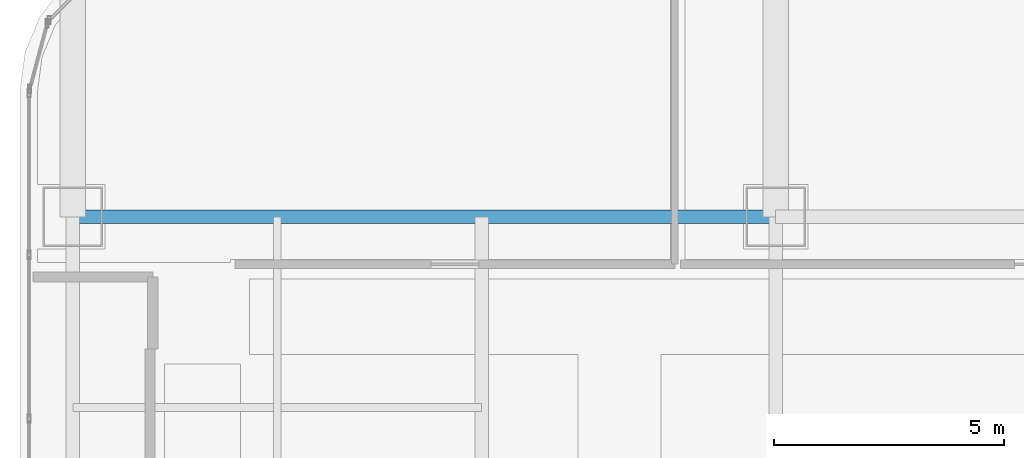
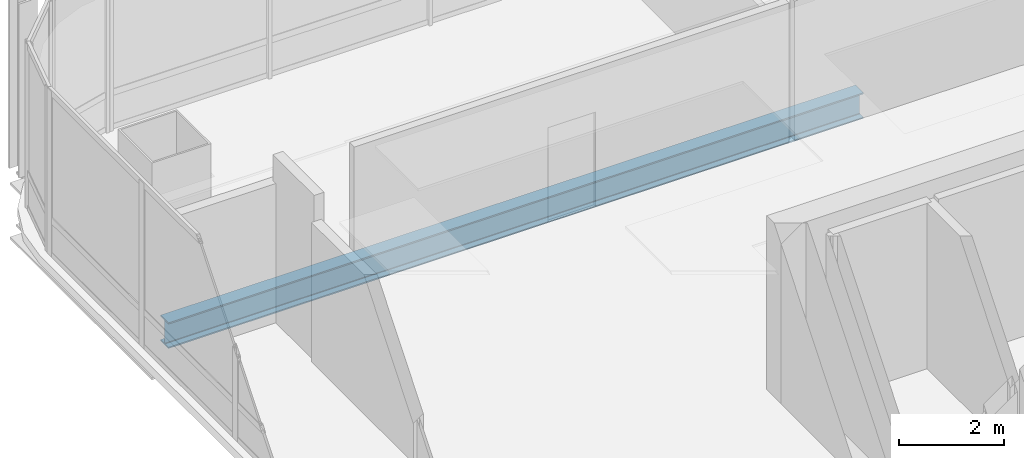
# One storey, part 23 of 42: 1 beam.
"""IFC4 building model written with IfcOpenShell, lengths in metres."""

import ifcopenshell
import ifcopenshell.guid

model = None  # the IFC model being written
_history = None  # IfcOwnerHistory: only IFC2X3 demands one
_inside = {}  # id of a spatial element -> (the spatial element, [elements in it])
_under = {}  # id of a project, library or spatial element -> (it, [spatial elements below it])
_declared = {}  # id of a project -> (the project, [libraries it declares])
_typed = {}  # id of a type object -> (the type object, [elements of that type])
_made_of = {}  # id of a material, layer set ... -> (it, [elements and type objects made of it])


def new_model(schema):
    """Start an empty IFC model of exactly this schema.

    Asked for "IFC4X3", IfcOpenShell would pick the latest addendum, in which some entities
    have other attributes; the version numbers below select the first issue.
    IFC2X3 requires an IfcOwnerHistory on every rooted entity: one is made here for all.
    """
    global model, _history
    if schema == "IFC4X3":
        model = ifcopenshell.file(schema_version=(4, 3, 0, 0))
    else:
        model = ifcopenshell.file(schema=schema)
    _inside.clear()
    _under.clear()
    _declared.clear()
    _typed.clear()
    _made_of.clear()
    _history = None
    if model.schema == "IFC2X3":
        org = make("IfcOrganization", Name="unknown")
        user = make(
            "IfcPersonAndOrganization",
            ThePerson=make("IfcPerson", FamilyName="unknown"),
            TheOrganization=org,
        )
        app = make(
            "IfcApplication",
            ApplicationDeveloper=org,
            Version="unknown",
            ApplicationFullName="unknown",
            ApplicationIdentifier="unknown",
        )
        _history = make(
            "IfcOwnerHistory",
            OwningUser=user,
            OwningApplication=app,
            ChangeAction="ADDED",
            CreationDate=0,
        )
    return model


def make(cls, **values):
    """One entity of the class cls with the attributes given. An attribute that is None is left unset."""
    return model.create_entity(
        cls, **{name: value for name, value in values.items() if value is not None}
    )


def rooted(cls, **values):
    """An entity with a GlobalId (a new one), such as an element, a storey or a relation."""
    return make(cls, GlobalId=ifcopenshell.guid.new(), OwnerHistory=_history, **values)


def si_unit(unit_type, name, prefix=None):
    """IfcSIUnit, for example si_unit("LENGTHUNIT", "METRE", prefix="MILLI")."""
    return make("IfcSIUnit", UnitType=unit_type, Prefix=prefix, Name=name)


def assignment(units):
    """IfcUnitAssignment: the units of a project."""
    return None if units is None else make("IfcUnitAssignment", Units=units)


def point(xyz):
    """IfcCartesianPoint."""
    return None if xyz is None else make("IfcCartesianPoint", Coordinates=xyz)


def direction(xyz):
    """IfcDirection."""
    return None if xyz is None else make("IfcDirection", DirectionRatios=xyz)


def frame(location, z_axis=None, x_axis=None):
    """IfcAxis2Placement3D, a coordinate frame: its origin and axes. An axis left out is left unset."""
    return make(
        "IfcAxis2Placement3D",
        Location=point(location),
        Axis=direction(z_axis),
        RefDirection=direction(x_axis),
    )


def frame_2d(location, x_axis=None):
    """IfcAxis2Placement2D, a coordinate frame in the plane: its origin and x axis."""
    return make(
        "IfcAxis2Placement2D", Location=point(location), RefDirection=direction(x_axis)
    )


def origin():
    """The frame at (0, 0, 0) with its axes left unset."""
    return frame((0.0, 0.0, 0.0))


def origin_2d():
    """The frame at (0, 0) in the plane with its x axis left unset."""
    return frame_2d((0.0, 0.0))


def place(relative_to, where):
    """IfcLocalPlacement: puts the frame where relative to a parent placement (None: the world)."""
    return make(
        "IfcLocalPlacement", PlacementRelTo=relative_to, RelativePlacement=where
    )


def context(
    kind, dimensions, precision=None, world=None, true_north=None, identifier=None
):
    """IfcGeometricRepresentationContext, for example the 3D "Model" context."""
    return make(
        "IfcGeometricRepresentationContext",
        ContextIdentifier=identifier,
        ContextType=kind,
        CoordinateSpaceDimension=dimensions,
        Precision=precision,
        WorldCoordinateSystem=world,
        TrueNorth=true_north,
    )


def subcontext(parent, identifier, kind, view, scale=None):
    """IfcGeometricRepresentationSubContext, for example "Body" below "Model"."""
    return make(
        "IfcGeometricRepresentationSubContext",
        ContextIdentifier=identifier,
        ContextType=kind,
        ParentContext=parent,
        TargetScale=scale,
        TargetView=view,
    )


def project(units=None, contexts=None):
    """IfcProject with its units and contexts."""
    return rooted(
        "IfcProject",
        Name="project",
        RepresentationContexts=contexts,
        UnitsInContext=assignment(units),
    )


def spatial(cls, under=None, at=None, **own):
    """A site, building, storey or space (cls), placed at a placement, below another one or the project."""
    s = rooted(cls, ObjectPlacement=at, **own)
    if under is not None:
        _under.setdefault(under.id(), (under, []))[1].append(s)
    return s


def profile(cls, at=None, kind="AREA", **sizes):
    """A parametric profile (cls). Its sizes go by their IFC names, for example OverallWidth=200.0."""
    return make(cls, ProfileType=kind, Position=at, **sizes)


def i_section(**sizes):
    """IfcIShapeProfileDef."""
    return profile("IfcIShapeProfileDef", **sizes)


def extrude(swept, where, along, depth):
    """IfcExtrudedAreaSolid: the profile swept, set in the frame where, extruded along a direction by depth."""
    return make(
        "IfcExtrudedAreaSolid",
        SweptArea=swept,
        Position=where,
        ExtrudedDirection=direction(along),
        Depth=depth,
    )


def shape(context_of_items, identifier, shape_type, items):
    """IfcShapeRepresentation: the items that make up one representation, for example the "Body"."""
    return make(
        "IfcShapeRepresentation",
        ContextOfItems=context_of_items,
        RepresentationIdentifier=identifier,
        RepresentationType=shape_type,
        Items=items,
    )


def material(Name=None, Category=None):
    """IfcMaterial."""
    return make("IfcMaterial", Name=Name, Category=Category)


def material_profile(
    of_material, cross_section, Name=None, Category=None, Priority=None
):
    """IfcMaterialProfile: a cross section and its material."""
    return make(
        "IfcMaterialProfile",
        Name=Name,
        Material=of_material,
        Profile=cross_section,
        Priority=Priority,
        Category=Category,
    )


def profile_set(profiles, Name=None, composite=None):
    """IfcMaterialProfileSet."""
    return make(
        "IfcMaterialProfileSet",
        Name=Name,
        MaterialProfiles=profiles,
        CompositeProfile=composite,
    )


def made_of(thing, what):
    """Note that an element or type object is made of a material, layer set ...; save() writes the relation."""
    if what is not None:
        _made_of.setdefault(what.id(), (what, []))[1].append(thing)
    return thing


def type_object(cls, material=None, **own):
    """A type object (cls), such as IfcWallType, which elements share."""
    return made_of(rooted(cls, **own), material)


def element(
    cls,
    number,
    at=None,
    inside=None,
    cuts=None,
    type_object=None,
    material=None,
    context=None,
    identifier="Body",
    shape_type=None,
    held_by="IfcProductDefinitionShape",
    body=None,
    shapes=None,
    **own,
):
    """One element of the class cls, such as IfcWall. Its Tag is "e" and its number.

    at: its placement. inside: the storey or other place that contains it. cuts: it is an
    opening in that element (IfcRelVoidsElement). A single representation is given by context,
    identifier, shape_type and body (its items); several are given by shapes. held_by: the class
    of the entity that holds the representations. save() writes the other relations.
    """
    e = rooted(cls, Tag="e%d" % number, ObjectPlacement=at, **own)
    if body is not None:
        shapes = [shape(context, identifier, shape_type, body)]
    if shapes is not None:
        e.Representation = make(held_by, Representations=shapes)
    if inside is not None:
        _inside.setdefault(inside.id(), (inside, []))[1].append(e)
    if cuts is not None:
        rooted(
            "IfcRelVoidsElement", RelatingBuildingElement=cuts, RelatedOpeningElement=e
        )
    if type_object is not None:
        _typed.setdefault(type_object.id(), (type_object, []))[1].append(e)
    return made_of(e, material)


def aggregate(whole, parts):
    """IfcRelAggregates: a whole, such as a stair, and the parts it consists of."""
    return rooted("IfcRelAggregates", RelatingObject=whole, RelatedObjects=parts)


def save(model, path):
    """Write the relations noted so far, then the file.

    IfcRelAggregates (storeys below a building ...), IfcRelContainedInSpatialStructure (elements
    in a storey), IfcRelDefinesByType, IfcRelAssociatesMaterial and IfcRelDeclares: one each for
    every whole, place, type object, material and project.
    """
    for whole, parts in _under.values():
        aggregate(whole, parts)
    for where, things in _inside.values():
        rooted(
            "IfcRelContainedInSpatialStructure",
            RelatedElements=things,
            RelatingStructure=where,
        )
    for kind, things in _typed.values():
        rooted("IfcRelDefinesByType", RelatedObjects=things, RelatingType=kind)
    for what, things in _made_of.values():
        rooted("IfcRelAssociatesMaterial", RelatedObjects=things, RelatingMaterial=what)
    for by, libraries in _declared.values():
        rooted("IfcRelDeclares", RelatingContext=by, RelatedDefinitions=libraries)
    model.write(path)


model = new_model("IFC4")

# Units and contexts
model_context = context("Model", 3, precision=1e-05, world=origin(), true_north=direction((0.0, 1.0)))
body_context = subcontext(model_context, "Body", "Model", "MODEL_VIEW")
ifc_project = project(units=[si_unit("LENGTHUNIT", "METRE"), si_unit("AREAUNIT", "SQUARE_METRE"), si_unit("VOLUMEUNIT", "CUBIC_METRE"), si_unit("PLANEANGLEUNIT", "RADIAN"), si_unit("MASSUNIT", "GRAM", prefix="KILO")], contexts=[model_context])

# Site, building, storey
site_placement = place(None, origin())
site = spatial("IfcSite", under=ifc_project, at=site_placement, CompositionType="ELEMENT")
building_placement = place(site_placement, origin())
building = spatial("IfcBuilding", under=site, at=building_placement, Name="Punatoya Terracotta Tower", CompositionType="ELEMENT")
storey_placement = place(building_placement, frame((0.0, 0.0, 259.5)))
storey = spatial("IfcBuildingStorey", under=building, at=storey_placement, Name="L61", CompositionType="ELEMENT", Elevation=259.5)

# Beam
ifc_material = material(Name="Steel S355", Category="steel")
ifc_material_profile = material_profile(ifc_material, i_section(OverallWidth=0.300048828125, OverallDepth=0.60009765625, WebThickness=0.015380859375, FlangeThickness=0.030029296875, FilletRadius=0.01806640625, at=origin_2d()))
ifc_profile_set = profile_set([ifc_material_profile], Name="Steel S355")
beam_type = type_object("IfcBeamType", Name="BM-PRI-600", PredefinedType="BEAM", material=ifc_profile_set)
beam_placement = place(storey_placement, frame((-19.10009765625, 17.5, -0.5), z_axis=(1.0, 0.0, 0.0), x_axis=(0.0, 1.0, 0.0)))
element("IfcBeam", 1, at=beam_placement, inside=storey, type_object=beam_type, Name="BM-L61-RG-N1", PredefinedType="BEAM", context=body_context, shape_type="SweptSolid", body=[
    extrude(i_section(OverallWidth=0.300048828125, OverallDepth=0.60009765625, WebThickness=0.015380859375, FlangeThickness=0.030029296875, FilletRadius=0.01806640625, at=origin_2d()), origin(), (0.0, 0.0, 1.0), 15.300048828125),
])

save(model, "model.ifc")
